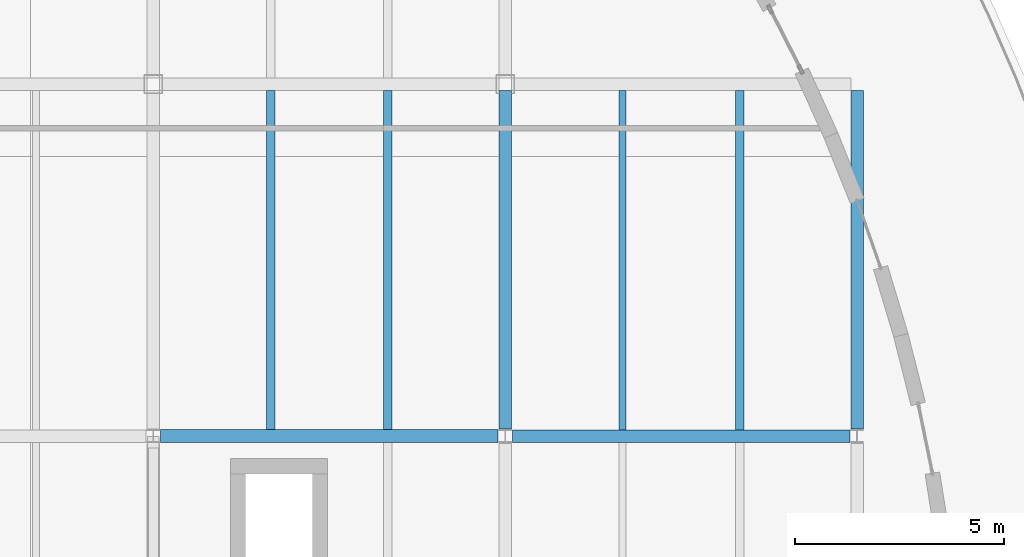
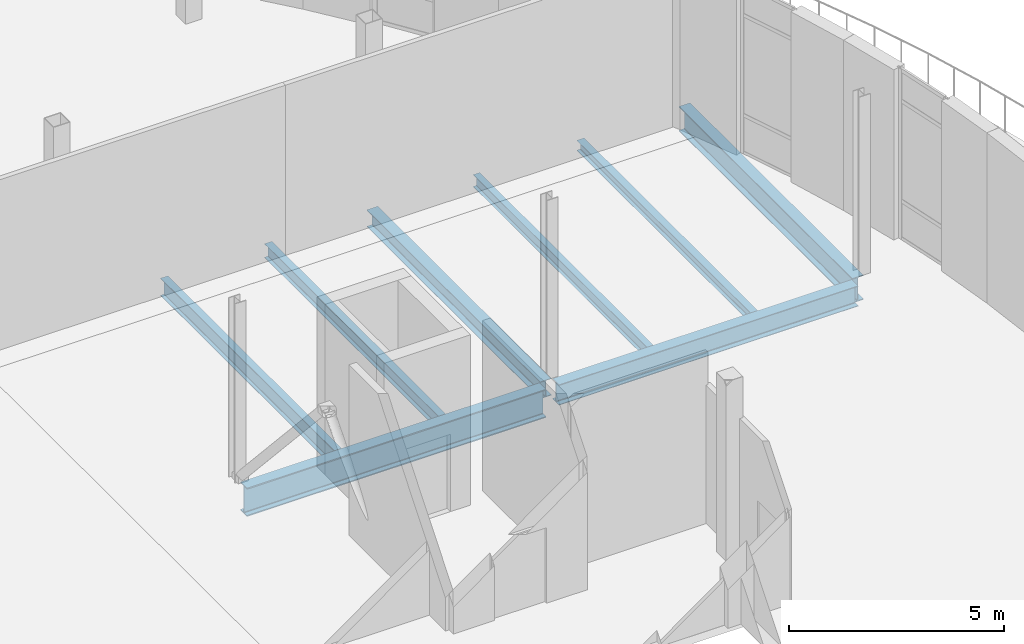
# One storey, part 24 of 57: 8 beams.
"""IFC4 building model written with IfcOpenShell, lengths in metres."""

from ifc_helpers import new_model, si_unit, direction, frame, origin, origin_2d, place, context, subcontext, project, spatial, i_section, extrude, material, material_profile, profile_set, type_object, element, save


model = new_model("IFC4")

# Units and contexts
model_context = context("Model", 3, precision=1e-05, world=origin(), true_north=direction((0.0, 1.0)))
body_context = subcontext(model_context, "Body", "Model", "MODEL_VIEW")
ifc_project = project(units=[si_unit("LENGTHUNIT", "METRE"), si_unit("AREAUNIT", "SQUARE_METRE"), si_unit("VOLUMEUNIT", "CUBIC_METRE"), si_unit("PLANEANGLEUNIT", "RADIAN"), si_unit("MASSUNIT", "GRAM", prefix="KILO"), si_unit("THERMODYNAMICTEMPERATUREUNIT", "KELVIN")], contexts=[model_context])

# Site, building, storey
site_placement = place(None, origin())
site = spatial("IfcSite", under=ifc_project, at=site_placement, CompositionType="ELEMENT")
building_placement = place(site_placement, origin())
building = spatial("IfcBuilding", under=site, at=building_placement, Name="Lustrewick Department Store", CompositionType="ELEMENT")
storey_placement = place(building_placement, frame((0.0, 0.0, 26.699951171875)))
storey = spatial("IfcBuildingStorey", under=building, at=storey_placement, Name="L06", CompositionType="ELEMENT", Elevation=26.699951171875)

# Beams
ifc_material_1 = material(Name="Structural steel Q355B", Category="steel")
ifc_material_profile_1 = material_profile(ifc_material_1, i_section(OverallWidth=0.199951171875, OverallDepth=0.5, WebThickness=0.010009765625, FlangeThickness=0.01611328125, FilletRadius=0.01611328125, at=origin_2d()), Name="HN 500x200x10x16")
ifc_profile_set_1 = profile_set([ifc_material_profile_1], Name="Structural steel Q355B")
beam_type_1 = type_object("IfcBeamType", Name="B01", PredefinedType="JOIST", material=ifc_profile_set_1)
beam_1_placement = place(storey_placement, frame((137.199951171875, 67.35107421875, -0.5048828125), z_axis=(0.0, 1.0, 0.0), x_axis=(-1.0, 0.0, 0.0)))
element("IfcBeam", 1, at=beam_1_placement, inside=storey, type_object=beam_type_1, Name="L06 V4 Secondary Joist B01", PredefinedType="JOIST", context=body_context, shape_type="SweptSolid", body=[
    extrude(i_section(OverallWidth=0.199951171875, OverallDepth=0.5, WebThickness=0.010009765625, FlangeThickness=0.01611328125, FilletRadius=0.01611328125, at=origin_2d()), origin(), (0.0, 0.0, 1.0), 8.098876953125),
])
ifc_material_profile_2 = material_profile(ifc_material_1, i_section(OverallWidth=0.199951171875, OverallDepth=0.39990234375, WebThickness=0.008056640625, FlangeThickness=0.012939453125, FilletRadius=0.013916015625, at=origin_2d()), Name="HN 400x200x8x13")
ifc_profile_set_2 = profile_set([ifc_material_profile_2], Name="Structural steel Q355B")
beam_type_2 = type_object("IfcBeamType", Name="B05", PredefinedType="JOIST", material=ifc_profile_set_2)
beam_2_placement = place(storey_placement, frame((140.0, 67.35107421875, -0.454833984375), z_axis=(0.0, 1.0, 0.0), x_axis=(-1.0, 0.0, 0.0)))
element("IfcBeam", 2, at=beam_2_placement, inside=storey, type_object=beam_type_2, Name="L06 V4 Secondary Joist B05", PredefinedType="JOIST", context=body_context, shape_type="SweptSolid", body=[
    extrude(i_section(OverallWidth=0.199951171875, OverallDepth=0.39990234375, WebThickness=0.008056640625, FlangeThickness=0.012939453125, FilletRadius=0.013916015625, at=origin_2d()), origin(), (0.0, 0.0, 1.0), 8.098876953125),
])
ifc_material_profile_3 = material_profile(ifc_material_1, i_section(OverallWidth=0.174072265625, OverallDepth=0.345947265625, WebThickness=0.006103515625, FlangeThickness=0.009033203125, FilletRadius=0.012939453125, at=origin_2d()), Name="HN 346x174x6x9")
ifc_profile_set_3 = profile_set([ifc_material_profile_3], Name="Structural steel Q355B")
beam_type_3 = type_object("IfcBeamType", Name="B10", PredefinedType="JOIST", material=ifc_profile_set_3)
beam_3_placement = place(storey_placement, frame((145.60009765625, 67.35009765625, -0.427978515625), z_axis=(0.0, 1.0, 0.0), x_axis=(-1.0, 0.0, 0.0)))
element("IfcBeam", 3, at=beam_3_placement, inside=storey, type_object=beam_type_3, Name="L06 V4 Secondary Joist B10", PredefinedType="JOIST", context=body_context, shape_type="SweptSolid", body=[
    extrude(i_section(OverallWidth=0.174072265625, OverallDepth=0.345947265625, WebThickness=0.006103515625, FlangeThickness=0.009033203125, FilletRadius=0.012939453125, at=origin_2d()), origin(), (0.0, 0.0, 1.0), 8.100341796875),
])
ifc_material_profile_4 = material_profile(ifc_material_1, i_section(OverallWidth=0.199951171875, OverallDepth=0.2939453125, WebThickness=0.008056640625, FlangeThickness=0.011962890625, FilletRadius=0.013916015625, at=origin_2d()), Name="HM 294x200x8x12")
ifc_profile_set_4 = profile_set([ifc_material_profile_4], Name="Structural steel Q355B")
beam_type_4 = type_object("IfcBeamType", Name="B13", PredefinedType="JOIST", material=ifc_profile_set_4)
beam_4_placement = place(storey_placement, frame((148.39990234375, 67.35009765625, -0.40185546875), z_axis=(0.0, 1.0, 0.0), x_axis=(-1.0, 0.0, 0.0)))
element("IfcBeam", 4, at=beam_4_placement, inside=storey, type_object=beam_type_4, Name="L06 V4 Secondary Joist B13", PredefinedType="JOIST", context=body_context, shape_type="SweptSolid", body=[
    extrude(i_section(OverallWidth=0.199951171875, OverallDepth=0.2939453125, WebThickness=0.008056640625, FlangeThickness=0.011962890625, FilletRadius=0.013916015625, at=origin_2d()), origin(), (0.0, 0.0, 1.0), 8.100341796875),
])
ifc_material_2 = material(Name="Structural steel Q355C", Category="steel")
ifc_material_profile_5 = material_profile(ifc_material_2, i_section(OverallWidth=0.302001953125, OverallDepth=0.80810546875, WebThickness=0.01611328125, FlangeThickness=0.030029296875, FilletRadius=0.02197265625, at=origin_2d()), Name="HN 808x302x16x30")
ifc_profile_set_5 = profile_set([ifc_material_profile_5], Name="Structural steel Q355C")
beam_type_5 = type_object("IfcBeamType", Name="G04", PredefinedType="BEAM", material=ifc_profile_set_5)
beam_5_placement = place(storey_placement, frame((134.573974609375, 67.199951171875, -0.658935546875), z_axis=(1.0, 0.0, 0.0), x_axis=(0.0, 1.0, 0.0)))
element("IfcBeam", 5, at=beam_5_placement, inside=storey, type_object=beam_type_5, Name="L06 V4 Girder G04", PredefinedType="BEAM", context=body_context, shape_type="SweptSolid", body=[
    extrude(i_section(OverallWidth=0.302001953125, OverallDepth=0.80810546875, WebThickness=0.01611328125, FlangeThickness=0.030029296875, FilletRadius=0.02197265625, at=origin_2d()), origin(), (0.0, 0.0, 1.0), 8.052001953125),
])
ifc_material_profile_6 = material_profile(ifc_material_1, i_section(OverallWidth=0.300048828125, OverallDepth=0.699951171875, WebThickness=0.012939453125, FlangeThickness=0.02392578125, FilletRadius=0.02001953125, at=origin_2d()), Name="HN 700x300x13x24")
ifc_profile_set_6 = profile_set([ifc_material_profile_6], Name="Structural steel Q355B")
beam_type_6 = type_object("IfcBeamType", Name="G08", PredefinedType="BEAM", material=ifc_profile_set_6)
beam_6_placement = place(storey_placement, frame((151.199951171875, 67.3720703125, -0.60498046875), z_axis=(0.0, 1.0, 0.0), x_axis=(-1.0, 0.0, 0.0)))
element("IfcBeam", 6, at=beam_6_placement, inside=storey, type_object=beam_type_6, Name="L06 V4 Girder G08", PredefinedType="BEAM", context=body_context, shape_type="SweptSolid", body=[
    extrude(i_section(OverallWidth=0.300048828125, OverallDepth=0.699951171875, WebThickness=0.012939453125, FlangeThickness=0.02392578125, FilletRadius=0.02001953125, at=origin_2d()), origin(), (0.0, 0.0, 1.0), 8.077880859375),
])
ifc_material_profile_7 = material_profile(ifc_material_1, i_section(OverallWidth=0.300048828125, OverallDepth=0.58203125, WebThickness=0.011962890625, FlangeThickness=0.01708984375, FilletRadius=0.02392578125, at=origin_2d()), Name="HM 582x300x12x17")
ifc_profile_set_7 = profile_set([ifc_material_profile_7], Name="Structural steel Q355B")
beam_type_7 = type_object("IfcBeamType", Name="G12", PredefinedType="BEAM", material=ifc_profile_set_7)
beam_7_placement = place(storey_placement, frame((142.97412109375, 67.199951171875, -0.5458984375), z_axis=(1.0, 0.0, 0.0), x_axis=(0.0, 1.0, 0.0)))
element("IfcBeam", 7, at=beam_7_placement, inside=storey, type_object=beam_type_7, Name="L06 V4 Girder G12", PredefinedType="BEAM", context=body_context, shape_type="SweptSolid", body=[
    extrude(i_section(OverallWidth=0.300048828125, OverallDepth=0.58203125, WebThickness=0.011962890625, FlangeThickness=0.01708984375, FilletRadius=0.02392578125, at=origin_2d()), origin(), (0.0, 0.0, 1.0), 8.0517578125),
])
ifc_material_profile_8 = material_profile(ifc_material_1, i_section(OverallWidth=0.300048828125, OverallDepth=0.48193359375, WebThickness=0.010986328125, FlangeThickness=0.014892578125, FilletRadius=0.02197265625, at=origin_2d()), Name="HM 482x300x11x15")
ifc_profile_set_8 = profile_set([ifc_material_profile_8], Name="Structural steel Q355B")
beam_type_8 = type_object("IfcBeamType", Name="G20", PredefinedType="BEAM", material=ifc_profile_set_8)
beam_8_placement = place(storey_placement, frame((142.800048828125, 67.3720703125, -0.495849609375), z_axis=(0.0, 1.0, 0.0), x_axis=(-1.0, 0.0, 0.0)))
element("IfcBeam", 8, at=beam_8_placement, inside=storey, type_object=beam_type_8, Name="L06 V4 Girder G20", PredefinedType="BEAM", context=body_context, shape_type="SweptSolid", body=[
    extrude(i_section(OverallWidth=0.300048828125, OverallDepth=0.48193359375, WebThickness=0.010986328125, FlangeThickness=0.014892578125, FilletRadius=0.02197265625, at=origin_2d()), origin(), (0.0, 0.0, 1.0), 8.077880859375),
])

save(model, "model.ifc")
